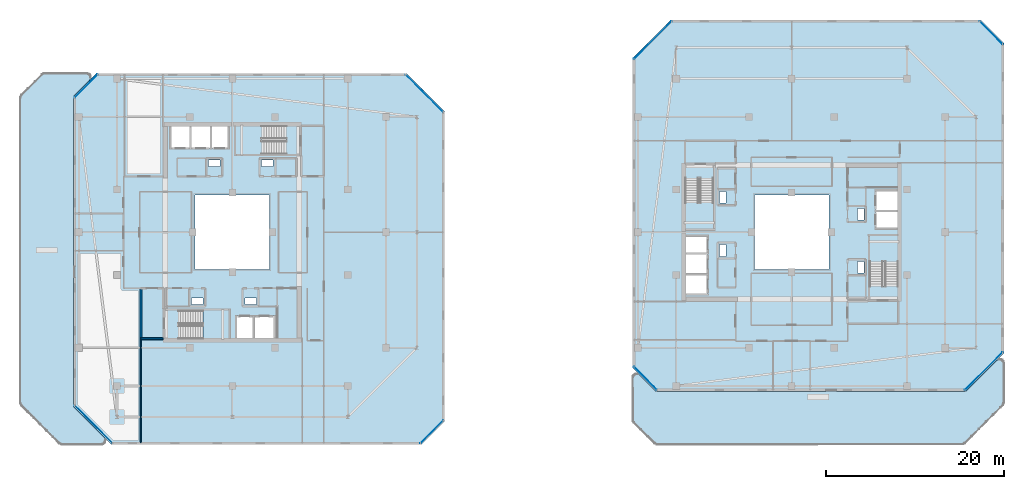
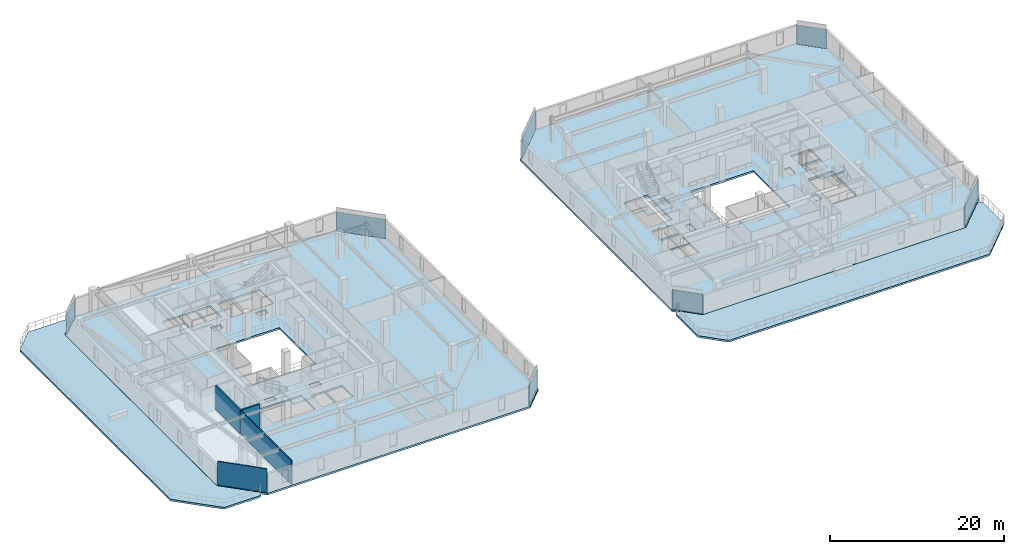
# One storey, part 17 of 31: 8 plates, 8 slabs, 4 walls, 12 elements without a shape of their own.
"""IFC4 building model written with IfcOpenShell, lengths in metres."""

from ifc_helpers import new_model, si_unit, direction, frame, frame_2d, origin, origin_2d, place, context, subcontext, project, spatial, polyline, rectangle, outline, extrude, material, layer, layer_set, type_object, element, aggregate, save


model = new_model("IFC4")

# Units and contexts
model_context = context("Model", 3, precision=1e-05, world=origin(), true_north=direction((0.0, 1.0)))
body_context = subcontext(model_context, "Body", "Model", "MODEL_VIEW")
ifc_project = project(units=[si_unit("LENGTHUNIT", "METRE"), si_unit("AREAUNIT", "SQUARE_METRE"), si_unit("VOLUMEUNIT", "CUBIC_METRE"), si_unit("PLANEANGLEUNIT", "RADIAN"), si_unit("MASSUNIT", "GRAM", prefix="KILO")], contexts=[model_context])

# Site, building, storey
site_placement = place(None, origin())
site = spatial("IfcSite", under=ifc_project, at=site_placement, CompositionType="ELEMENT")
building_placement = place(site_placement, origin())
building = spatial("IfcBuilding", under=site, at=building_placement, Name="Thornwick Lancets Civic Towers", CompositionType="ELEMENT")
storey_placement = place(building_placement, frame((0.0, 0.0, 254.699951171875)))
storey = spatial("IfcBuildingStorey", under=building, at=storey_placement, Name="L68", CompositionType="ELEMENT", Elevation=254.699951171875)

# Curtain wall, plate
ifc_material_1 = material(Name="High-zone chamfered-corner unitised glass curtain wall", Category="glass")
curtain_wall_type = type_object("IfcCurtainWallType", Name="CW_SYS_05", PredefinedType="NOTDEFINED", material=ifc_material_1)
curtain_wall_1_placement = place(storey_placement, origin())
curtain_wall_1 = element("IfcCurtainWall", 1, at=curtain_wall_1_placement, inside=storey, type_object=curtain_wall_type, Name="L68 Curtain Wall CW-L68-A-E1", PredefinedType="NOTDEFINED")
ifc_material_2 = material(Name="Low-e double glazing clear glass", Category="glass")
ifc_layer_1 = layer(ifc_material_2, 0.035888671875, Name="Low-e double glazing clear glass")
ifc_layer_set_1 = layer_set([ifc_layer_1], Name="Low-e double glazing clear glass")
plate_type = type_object("IfcPlateType", Name="CW_PNL_GLASS", PredefinedType="CURTAIN_PANEL", material=ifc_layer_set_1)
plate_1_placement = place(storey_placement, frame((47.972900390625, 4.527099609375, 0.0), z_axis=(0.0, 0.0, 1.0), x_axis=(0.707106781187, 0.707106781187, 0.0)))
plate_1 = element("IfcPlate", 2, at=plate_1_placement, type_object=plate_type, Name="CW-L68-A-E1 Panel 0", PredefinedType="CURTAIN_PANEL", context=body_context, shape_type="SweptSolid", body=[
    extrude(rectangle(XDim=3.649169921875, YDim=0.035888671875, at=origin_2d()), origin(), (0.0, 0.0, 1.0), 2.699951171875),
])
aggregate(curtain_wall_1, [plate_1])

curtain_wall_2_placement = place(storey_placement, origin())
curtain_wall_2 = element("IfcCurtainWall", 3, at=curtain_wall_2_placement, inside=storey, type_object=curtain_wall_type, Name="L68 Curtain Wall CW-L68-A-E3", PredefinedType="NOTDEFINED")
plate_2_placement = place(storey_placement, frame((47.142578125, 42.642578125, 0.0), z_axis=(0.0, 0.0, 1.0), x_axis=(-0.707106781187, 0.707106781187, 0.0)))
plate_2 = element("IfcPlate", 4, at=plate_2_placement, type_object=plate_type, Name="CW-L68-A-E3 Panel 0", PredefinedType="CURTAIN_PANEL", context=body_context, shape_type="SweptSolid", body=[
    extrude(rectangle(XDim=5.98291015625, YDim=0.035888671875, at=origin_2d()), origin(), (0.0, 0.0, 1.0), 2.699951171875),
])
aggregate(curtain_wall_2, [plate_2])

curtain_wall_3_placement = place(storey_placement, origin())
curtain_wall_3 = element("IfcCurtainWall", 5, at=curtain_wall_3_placement, inside=storey, type_object=curtain_wall_type, Name="L68 Curtain Wall CW-L68-A-E5", PredefinedType="NOTDEFINED")
plate_3_placement = place(storey_placement, frame((9.027099609375, 43.472900390625, 0.0), z_axis=(0.0, 0.0, 1.0), x_axis=(-0.707106781187, -0.707106781187, 0.0)))
plate_3 = element("IfcPlate", 6, at=plate_3_placement, type_object=plate_type, Name="CW-L68-A-E5 Panel 0", PredefinedType="CURTAIN_PANEL", context=body_context, shape_type="SweptSolid", body=[
    extrude(rectangle(XDim=3.649169921875, YDim=0.035888671875, at=origin_2d()), origin(), (0.0, 0.0, 1.0), 2.699951171875),
])
aggregate(curtain_wall_3, [plate_3])

curtain_wall_4_placement = place(storey_placement, origin())
curtain_wall_4 = element("IfcCurtainWall", 7, at=curtain_wall_4_placement, inside=storey, type_object=curtain_wall_type, Name="L68 Curtain Wall CW-L68-A-E7", PredefinedType="NOTDEFINED")
plate_4_placement = place(storey_placement, frame((9.857421875, 5.357421875, 0.0), z_axis=(0.0, 0.0, 1.0), x_axis=(0.707106781187, -0.707106781187, 0.0)))
plate_4 = element("IfcPlate", 8, at=plate_4_placement, type_object=plate_type, Name="CW-L68-A-E7 Panel 0", PredefinedType="CURTAIN_PANEL", context=body_context, shape_type="SweptSolid", body=[
    extrude(rectangle(XDim=5.98291015625, YDim=0.035888671875, at=origin_2d()), origin(), (0.0, 0.0, 1.0), 2.699951171875),
])
aggregate(curtain_wall_4, [plate_4])

curtain_wall_5_placement = place(storey_placement, origin())
curtain_wall_5 = element("IfcCurtainWall", 9, at=curtain_wall_5_placement, inside=storey, type_object=curtain_wall_type, Name="L68 Curtain Wall CW-L68-B-E1", PredefinedType="NOTDEFINED")
plate_5_placement = place(storey_placement, frame((110.142578125, 11.357421875, 0.0), z_axis=(0.0, 0.0, 1.0), x_axis=(0.707106781187, 0.707106781187, 0.0)))
plate_5 = element("IfcPlate", 10, at=plate_5_placement, type_object=plate_type, Name="CW-L68-B-E1 Panel 0", PredefinedType="CURTAIN_PANEL", context=body_context, shape_type="SweptSolid", body=[
    extrude(rectangle(XDim=5.98291015625, YDim=0.035888671875, at=origin_2d()), origin(), (0.0, 0.0, 1.0), 2.699951171875),
])
aggregate(curtain_wall_5, [plate_5])

curtain_wall_6_placement = place(storey_placement, origin())
curtain_wall_6 = element("IfcCurtainWall", 11, at=curtain_wall_6_placement, inside=storey, type_object=curtain_wall_type, Name="L68 Curtain Wall CW-L68-B-E3", PredefinedType="NOTDEFINED")
plate_6_placement = place(storey_placement, frame((110.972900390625, 49.472900390625, 0.0), z_axis=(0.0, 0.0, 1.0), x_axis=(-0.707106781187, 0.707106781187, 0.0)))
plate_6 = element("IfcPlate", 12, at=plate_6_placement, type_object=plate_type, Name="CW-L68-B-E3 Panel 0", PredefinedType="CURTAIN_PANEL", context=body_context, shape_type="SweptSolid", body=[
    extrude(rectangle(XDim=3.649169921875, YDim=0.035888671875, at=origin_2d()), origin(), (0.0, 0.0, 1.0), 2.699951171875),
])
aggregate(curtain_wall_6, [plate_6])

curtain_wall_7_placement = place(storey_placement, origin())
curtain_wall_7 = element("IfcCurtainWall", 13, at=curtain_wall_7_placement, inside=storey, type_object=curtain_wall_type, Name="L68 Curtain Wall CW-L68-B-E5", PredefinedType="NOTDEFINED")
plate_7_placement = place(storey_placement, frame((72.857421875, 48.642578125, 0.0), z_axis=(0.0, 0.0, 1.0), x_axis=(-0.707106781187, -0.707106781187, 0.0)))
plate_7 = element("IfcPlate", 14, at=plate_7_placement, type_object=plate_type, Name="CW-L68-B-E5 Panel 0", PredefinedType="CURTAIN_PANEL", context=body_context, shape_type="SweptSolid", body=[
    extrude(rectangle(XDim=5.98291015625, YDim=0.035888671875, at=origin_2d()), origin(), (0.0, 0.0, 1.0), 2.699951171875),
])
aggregate(curtain_wall_7, [plate_7])

curtain_wall_8_placement = place(storey_placement, origin())
curtain_wall_8 = element("IfcCurtainWall", 15, at=curtain_wall_8_placement, inside=storey, type_object=curtain_wall_type, Name="L68 Curtain Wall CW-L68-B-E7", PredefinedType="NOTDEFINED")
plate_8_placement = place(storey_placement, frame((72.027099609375, 10.527099609375, 0.0), z_axis=(0.0, 0.0, 1.0), x_axis=(0.707106781187, -0.707106781187, 0.0)))
plate_8 = element("IfcPlate", 16, at=plate_8_placement, type_object=plate_type, Name="CW-L68-B-E7 Panel 0", PredefinedType="CURTAIN_PANEL", context=body_context, shape_type="SweptSolid", body=[
    extrude(rectangle(XDim=3.649169921875, YDim=0.035888671875, at=origin_2d()), origin(), (0.0, 0.0, 1.0), 2.699951171875),
])
aggregate(curtain_wall_8, [plate_8])

# Stair, slab
ifc_material_3 = material(Name="Concrete C40/50", Category="concrete")
stair_type = type_object("IfcStairType", Name="STAIR_DL_3600", PredefinedType="HALF_TURN_STAIR", material=ifc_material_3)
stair_1_placement = place(storey_placement, origin())
stair_1 = element("IfcStair", 17, at=stair_1_placement, inside=storey, type_object=stair_type, Name="L68 Tower A South Exit Stair ST-A1", PredefinedType="HALF_TURN_STAIR")
ifc_layer_2 = layer(ifc_material_3, 0.25, Name="Concrete C40/50")
ifc_layer_set_2 = layer_set([ifc_layer_2], Name="Concrete C40/50")
slab_type_1 = type_object("IfcSlabType", Name="SLAB_LANDING_200", PredefinedType="LANDING", material=ifc_layer_set_2)
slab_1_placement = place(storey_placement, frame((0.0, 0.0, 1.60302734375)))
slab_1 = element("IfcSlab", 18, at=slab_1_placement, type_object=slab_type_1, Name="ST-A1 landing 1", PredefinedType="LANDING", context=body_context, shape_type="SweptSolid", body=[
    extrude(outline(polyline([(22.169921875, 14.93994140625), (25.14990234375, 14.93994140625), (25.14990234375, 18.260009765625), (22.169921875, 18.260009765625), (22.169921875, 14.93994140625)])), origin(), (0.0, 0.0, 1.0), 0.199951171875),
])
aggregate(stair_1, [slab_1])

stair_2_placement = place(storey_placement, origin())
stair_2 = element("IfcStair", 19, at=stair_2_placement, inside=storey, type_object=stair_type, Name="L68 Tower A North Exit Stair ST-A2", PredefinedType="HALF_TURN_STAIR")
slab_2_placement = place(storey_placement, frame((0.0, 0.0, 1.60302734375)))
slab_2 = element("IfcSlab", 20, at=slab_2_placement, type_object=slab_type_1, Name="ST-A2 landing 1", PredefinedType="LANDING", context=body_context, shape_type="SweptSolid", body=[
    extrude(outline(polyline([(28.830078125, 39.06005859375), (25.85009765625, 39.06005859375), (25.85009765625, 35.739990234375), (28.830078125, 35.739990234375), (28.830078125, 39.06005859375)])), origin(), (0.0, 0.0, 1.0), 0.199951171875),
])
aggregate(stair_2, [slab_2])

stair_3_placement = place(storey_placement, origin())
stair_3 = element("IfcStair", 21, at=stair_3_placement, inside=storey, type_object=stair_type, Name="L68 Tower B East Exit Stair ST-B1", PredefinedType="HALF_TURN_STAIR")
slab_3_placement = place(storey_placement, frame((0.0, 0.0, 1.60302734375)))
slab_3 = element("IfcSlab", 22, at=slab_3_placement, type_object=slab_type_1, Name="ST-B1 landing 1", PredefinedType="LANDING", context=body_context, shape_type="SweptSolid", body=[
    extrude(outline(polyline([(100.56005859375, 23.669921875), (100.56005859375, 26.64990234375), (97.239990234375, 26.64990234375), (97.239990234375, 23.669921875), (100.56005859375, 23.669921875)])), origin(), (0.0, 0.0, 1.0), 0.199951171875),
])
aggregate(stair_3, [slab_3])

stair_4_placement = place(storey_placement, origin())
stair_4 = element("IfcStair", 23, at=stair_4_placement, inside=storey, type_object=stair_type, Name="L68 Tower B West Exit Stair ST-B2", PredefinedType="HALF_TURN_STAIR")
slab_4_placement = place(storey_placement, frame((0.0, 0.0, 1.60302734375)))
slab_4 = element("IfcSlab", 24, at=slab_4_placement, type_object=slab_type_1, Name="ST-B2 landing 1", PredefinedType="LANDING", context=body_context, shape_type="SweptSolid", body=[
    extrude(outline(polyline([(76.43994140625, 30.330078125), (76.43994140625, 27.35009765625), (79.760009765625, 27.35009765625), (79.760009765625, 30.330078125), (76.43994140625, 30.330078125)])), origin(), (0.0, 0.0, 1.0), 0.199951171875),
])
aggregate(stair_4, [slab_4])

# Slabs
ifc_material_4 = material(Name="Post-tensioned concrete C40/50", Category="concrete")
ifc_layer_3 = layer(ifc_material_4, 0.260009765625, Name="Post-tensioned concrete C40/50")
ifc_layer_set_3 = layer_set([ifc_layer_3], Name="Post-tensioned concrete C40/50")
slab_type_2 = type_object("IfcSlabType", Name="SLAB_PT_260", PredefinedType="FLOOR", material=ifc_layer_set_3)
slab_5_placement = place(storey_placement, frame((0.0, 0.0, -0.260009765625)))
element("IfcSlab", 25, at=slab_5_placement, inside=storey, type_object=slab_type_2, Name="L68 Tower A Floor Slab", PredefinedType="FLOOR", context=body_context, shape_type="SweptSolid", body=[
    extrude(outline(polyline([(11.862060546875, 3.10009765625), (46.800048828125, 3.10009765625), (49.39990234375, 5.699951171875), (49.39990234375, 40.637939453125), (45.137939453125, 44.89990234375), (10.199951171875, 44.89990234375), (7.60009765625, 42.300048828125), (7.60009765625, 7.362060546875), (11.862060546875, 3.10009765625)]), holes=[polyline([(21.300048828125, 22.800048828125), (29.699951171875, 22.800048828125), (29.699951171875, 31.199951171875), (21.300048828125, 31.199951171875), (21.300048828125, 22.800048828125)]), polyline([(19.429931640625, 15.0), (25.10009765625, 15.0), (25.10009765625, 18.199951171875), (19.429931640625, 18.199951171875), (19.429931640625, 15.0)]), polyline([(31.570068359375, 39.0), (25.89990234375, 39.0), (25.89990234375, 35.800048828125), (31.570068359375, 35.800048828125), (31.570068359375, 39.0)]), polyline([(26.0, 15.0), (27.800048828125, 15.0), (27.800048828125, 17.550048828125), (26.0, 17.550048828125), (26.0, 15.0)]), polyline([(28.0, 15.0), (30.14990234375, 15.0), (30.14990234375, 17.550048828125), (28.0, 17.550048828125), (28.0, 15.0)]), polyline([(23.199951171875, 36.449951171875), (25.0, 36.449951171875), (25.0, 39.0), (23.199951171875, 39.0), (23.199951171875, 36.449951171875)]), polyline([(20.85009765625, 36.449951171875), (23.0, 36.449951171875), (23.0, 39.0), (20.85009765625, 39.0), (20.85009765625, 36.449951171875)]), polyline([(18.60009765625, 36.449951171875), (20.699951171875, 36.449951171875), (20.699951171875, 39.0), (18.60009765625, 39.0), (18.60009765625, 36.449951171875)]), polyline([(26.89990234375, 18.85009765625), (28.199951171875, 18.85009765625), (28.199951171875, 19.580078125), (26.89990234375, 19.580078125), (26.89990234375, 18.85009765625)]), polyline([(20.89990234375, 18.85009765625), (22.199951171875, 18.85009765625), (22.199951171875, 19.580078125), (20.89990234375, 19.580078125), (20.89990234375, 18.85009765625)]), polyline([(22.800048828125, 34.419921875), (24.10009765625, 34.419921875), (24.10009765625, 35.14990234375), (22.800048828125, 35.14990234375), (22.800048828125, 34.419921875)]), polyline([(28.800048828125, 34.419921875), (30.10009765625, 34.419921875), (30.10009765625, 35.14990234375), (28.800048828125, 35.14990234375), (28.800048828125, 34.419921875)])]), origin(), (0.0, 0.0, 1.0), 0.260009765625),
])
slab_6_placement = place(storey_placement, frame((0.0, 0.0, -0.260009765625)))
element("IfcSlab", 26, at=slab_6_placement, inside=storey, type_object=slab_type_2, Name="L68 Tower A Cantilevered Block Sky-Garden Terrace 1", PredefinedType="FLOOR", context=body_context, shape_type="SweptSolid", body=[
    extrude(outline(polyline([(6.2802734375, 3.102294921875), (6.236572265625, 3.108642578125), (6.19384765625, 3.119384765625), (6.152099609375, 3.13427734375), (6.1123046875, 3.153076171875), (6.074462890625, 3.17578125), (6.038818359375, 3.2021484375), (6.006103515625, 3.231689453125), (1.731689453125, 7.506103515625), (1.7021484375, 7.538818359375), (1.67578125, 7.574462890625), (1.653076171875, 7.6123046875), (1.63427734375, 7.652099609375), (1.619384765625, 7.69384765625), (1.608642578125, 7.736572265625), (1.602294921875, 7.7802734375), (1.60009765625, 7.824462890625), (1.60009765625, 42.113525390625), (1.602294921875, 42.15771484375), (1.608642578125, 42.201416015625), (1.619384765625, 42.244140625), (1.63427734375, 42.285888671875), (1.653076171875, 42.32568359375), (1.67578125, 42.363525390625), (1.7021484375, 42.399169921875), (1.731689453125, 42.431884765625), (4.068115234375, 44.768310546875), (4.100830078125, 44.7978515625), (4.136474609375, 44.82421875), (4.17431640625, 44.846923828125), (4.214111328125, 44.86572265625), (4.255859375, 44.880615234375), (4.298583984375, 44.891357421875), (4.34228515625, 44.897705078125), (4.386474609375, 44.89990234375), (9.085205078125, 44.89990234375), (9.12939453125, 44.897705078125), (9.173095703125, 44.891357421875), (9.2158203125, 44.880615234375), (9.257568359375, 44.86572265625), (9.29736328125, 44.846923828125), (9.335205078125, 44.82421875), (9.370849609375, 44.7978515625), (9.403564453125, 44.768310546875), (9.43310546875, 44.735595703125), (9.45947265625, 44.699951171875), (9.482177734375, 44.662109375), (9.501220703125, 44.622314453125), (9.515869140625, 44.58056640625), (9.526611328125, 44.537841796875), (9.533203125, 44.494140625), (9.535400390625, 44.449951171875), (9.533203125, 44.406005859375), (9.526611328125, 44.3623046875), (9.515869140625, 44.3193359375), (9.501220703125, 44.27783203125), (9.482177734375, 44.23779296875), (9.45947265625, 44.199951171875), (9.43310546875, 44.16455078125), (9.403564453125, 44.1318359375), (9.10400390625, 43.832275390625), (7.58984375, 42.318115234375), (7.5859375, 42.314208984375), (7.58447265625, 42.312744140625), (7.58349609375, 42.31103515625), (7.58251953125, 42.309326171875), (7.58154296875, 42.3076171875), (7.580810546875, 42.305908203125), (7.580322265625, 42.303955078125), (7.580078125, 42.302001953125), (7.580078125, 42.300048828125), (7.580078125, 42.2939453125), (7.580078125, 7.367431640625), (7.580078125, 7.362060546875), (7.580078125, 7.360107421875), (7.580322265625, 7.358154296875), (7.580810546875, 7.356201171875), (7.58154296875, 7.354248046875), (7.58251953125, 7.3525390625), (7.58349609375, 7.350830078125), (7.58447265625, 7.349365234375), (7.5859375, 7.347900390625), (7.590087890625, 7.343505859375), (11.0654296875, 3.8681640625), (11.09521484375, 3.83544921875), (11.12158203125, 3.800048828125), (11.144287109375, 3.76220703125), (11.1630859375, 3.72216796875), (11.177978515625, 3.6806640625), (11.188720703125, 3.6376953125), (11.1953125, 3.593994140625), (11.197265625, 3.550048828125), (11.1953125, 3.505859375), (11.188720703125, 3.462158203125), (11.177978515625, 3.41943359375), (11.1630859375, 3.377685546875), (11.144287109375, 3.337890625), (11.12158203125, 3.300048828125), (11.09521484375, 3.264404296875), (11.0654296875, 3.231689453125), (11.03271484375, 3.2021484375), (10.997314453125, 3.17578125), (10.95947265625, 3.153076171875), (10.91943359375, 3.13427734375), (10.8779296875, 3.119384765625), (10.835205078125, 3.108642578125), (10.79150390625, 3.102294921875), (10.747314453125, 3.10009765625), (6.324462890625, 3.10009765625), (6.2802734375, 3.102294921875)])), origin(), (0.0, 0.0, 1.0), 0.260009765625),
])
slab_7_placement = place(storey_placement, frame((0.0, 0.0, -0.260009765625)))
element("IfcSlab", 27, at=slab_7_placement, inside=storey, type_object=slab_type_2, Name="L68 Tower B Floor Slab", PredefinedType="FLOOR", context=body_context, shape_type="SweptSolid", body=[
    extrude(outline(polyline([(73.199951171875, 9.10009765625), (108.137939453125, 9.10009765625), (112.39990234375, 13.362060546875), (112.39990234375, 48.300048828125), (109.800048828125, 50.89990234375), (74.862060546875, 50.89990234375), (70.60009765625, 46.637939453125), (70.60009765625, 11.699951171875), (73.199951171875, 9.10009765625)]), holes=[polyline([(84.300048828125, 22.800048828125), (92.699951171875, 22.800048828125), (92.699951171875, 31.199951171875), (84.300048828125, 31.199951171875), (84.300048828125, 22.800048828125)]), polyline([(100.5, 20.929931640625), (100.5, 26.60009765625), (97.300048828125, 26.60009765625), (97.300048828125, 20.929931640625), (100.5, 20.929931640625)]), polyline([(76.5, 33.070068359375), (76.5, 27.39990234375), (79.699951171875, 27.39990234375), (79.699951171875, 33.070068359375), (76.5, 33.070068359375)]), polyline([(97.949951171875, 27.5), (100.5, 27.5), (100.5, 29.300048828125), (97.949951171875, 29.300048828125), (97.949951171875, 27.5)]), polyline([(97.949951171875, 29.5), (100.5, 29.5), (100.5, 31.64990234375), (97.949951171875, 31.64990234375), (97.949951171875, 29.5)]), polyline([(76.5, 24.699951171875), (79.050048828125, 24.699951171875), (79.050048828125, 26.5), (76.5, 26.5), (76.5, 24.699951171875)]), polyline([(76.5, 22.35009765625), (79.050048828125, 22.35009765625), (79.050048828125, 24.5), (76.5, 24.5), (76.5, 22.35009765625)]), polyline([(76.5, 20.10009765625), (79.050048828125, 20.10009765625), (79.050048828125, 22.199951171875), (76.5, 22.199951171875), (76.5, 20.10009765625)]), polyline([(95.919921875, 28.39990234375), (96.64990234375, 28.39990234375), (96.64990234375, 29.699951171875), (95.919921875, 29.699951171875), (95.919921875, 28.39990234375)]), polyline([(95.919921875, 22.39990234375), (96.64990234375, 22.39990234375), (96.64990234375, 23.699951171875), (95.919921875, 23.699951171875), (95.919921875, 22.39990234375)]), polyline([(80.35009765625, 24.300048828125), (81.080078125, 24.300048828125), (81.080078125, 25.60009765625), (80.35009765625, 25.60009765625), (80.35009765625, 24.300048828125)]), polyline([(80.35009765625, 30.300048828125), (81.080078125, 30.300048828125), (81.080078125, 31.60009765625), (80.35009765625, 31.60009765625), (80.35009765625, 30.300048828125)])]), origin(), (0.0, 0.0, 1.0), 0.260009765625),
])
slab_8_placement = place(storey_placement, frame((0.0, 0.0, -0.260009765625)))
element("IfcSlab", 28, at=slab_8_placement, inside=storey, type_object=slab_type_2, Name="L68 Tower B Cantilevered Block Sky-Garden Terrace 1", PredefinedType="FLOOR", context=body_context, shape_type="SweptSolid", body=[
    extrude(outline(polyline([(112.397705078125, 7.7802734375), (112.391357421875, 7.736572265625), (112.380615234375, 7.69384765625), (112.36572265625, 7.652099609375), (112.346923828125, 7.6123046875), (112.32421875, 7.574462890625), (112.2978515625, 7.538818359375), (112.268310546875, 7.506103515625), (112.01904296875, 7.257080078125), (107.993896484375, 3.231689453125), (107.961181640625, 3.2021484375), (107.925537109375, 3.17578125), (107.8876953125, 3.153076171875), (107.847900390625, 3.13427734375), (107.80615234375, 3.119384765625), (107.763427734375, 3.108642578125), (107.7197265625, 3.102294921875), (107.675537109375, 3.10009765625), (73.386474609375, 3.10009765625), (73.34228515625, 3.102294921875), (73.298583984375, 3.108642578125), (73.255859375, 3.119384765625), (73.214111328125, 3.13427734375), (73.17431640625, 3.153076171875), (73.136474609375, 3.17578125), (73.100830078125, 3.2021484375), (73.068115234375, 3.231689453125), (70.906005859375, 5.39404296875), (70.731689453125, 5.568115234375), (70.7021484375, 5.600830078125), (70.67578125, 5.636474609375), (70.653076171875, 5.67431640625), (70.63427734375, 5.714111328125), (70.619384765625, 5.755859375), (70.608642578125, 5.798583984375), (70.602294921875, 5.84228515625), (70.60009765625, 5.886474609375), (70.60009765625, 10.585205078125), (70.602294921875, 10.62939453125), (70.608642578125, 10.673095703125), (70.619384765625, 10.7158203125), (70.63427734375, 10.757568359375), (70.653076171875, 10.79736328125), (70.67578125, 10.835205078125), (70.7021484375, 10.870849609375), (70.731689453125, 10.903564453125), (70.764404296875, 10.93310546875), (70.800048828125, 10.95947265625), (70.837890625, 10.982177734375), (70.877685546875, 11.001220703125), (70.91943359375, 11.015869140625), (70.962158203125, 11.026611328125), (71.005859375, 11.033203125), (71.050048828125, 11.035400390625), (71.093994140625, 11.033203125), (71.1376953125, 11.026611328125), (71.1806640625, 11.015869140625), (71.22216796875, 11.001220703125), (71.26220703125, 10.982177734375), (71.300048828125, 10.95947265625), (71.33544921875, 10.93310546875), (71.3681640625, 10.903564453125), (71.72119140625, 10.55029296875), (73.185791015625, 9.0859375), (73.187255859375, 9.08447265625), (73.18896484375, 9.08349609375), (73.190673828125, 9.08251953125), (73.1923828125, 9.08154296875), (73.194091796875, 9.080810546875), (73.196044921875, 9.080322265625), (73.197998046875, 9.080078125), (73.199951171875, 9.080078125), (73.2060546875, 9.080078125), (108.132568359375, 9.080078125), (108.137939453125, 9.080078125), (108.139892578125, 9.080078125), (108.141845703125, 9.080322265625), (108.143798828125, 9.080810546875), (108.145751953125, 9.08154296875), (108.1474609375, 9.08251953125), (108.149169921875, 9.08349609375), (108.150634765625, 9.08447265625), (108.152099609375, 9.0859375), (111.6318359375, 12.5654296875), (111.66455078125, 12.59521484375), (111.699951171875, 12.62158203125), (111.73779296875, 12.644287109375), (111.77783203125, 12.6630859375), (111.8193359375, 12.677978515625), (111.8623046875, 12.688720703125), (111.906005859375, 12.6953125), (111.949951171875, 12.697265625), (111.994140625, 12.6953125), (112.037841796875, 12.688720703125), (112.08056640625, 12.677978515625), (112.122314453125, 12.6630859375), (112.162109375, 12.644287109375), (112.199951171875, 12.62158203125), (112.235595703125, 12.59521484375), (112.268310546875, 12.5654296875), (112.2978515625, 12.53271484375), (112.32421875, 12.497314453125), (112.346923828125, 12.45947265625), (112.36572265625, 12.41943359375), (112.380615234375, 12.3779296875), (112.391357421875, 12.335205078125), (112.397705078125, 12.29150390625), (112.39990234375, 12.247314453125), (112.39990234375, 7.824462890625), (112.397705078125, 7.7802734375)])), origin(), (0.0, 0.0, 1.0), 0.260009765625),
])

# Walls
ifc_material_5 = material(Name="Concrete blockwork C40/50", Category="masonry")
ifc_layer_4 = layer(ifc_material_5, 0.199951171875, Name="Concrete blockwork C40/50")
ifc_layer_set_4 = layer_set([ifc_layer_4], Name="Concrete blockwork C40/50")
wall_type_1 = type_object("IfcWallType", Name="WALL_COMP_200", PredefinedType="STANDARD", material=ifc_layer_set_4)
wall_1_placement = place(storey_placement, frame((15.199951171875, 15.0, 0.0), z_axis=(0.0, 0.0, 1.0), x_axis=(1.0, 0.0, 0.0)))
element("IfcWall", 29, at=wall_1_placement, inside=storey, type_object=wall_type_1, Name="L68 Partition L68-A-FFLOB1 E1", PredefinedType="STANDARD", context=body_context, shape_type="SweptSolid", body=[
    extrude(rectangle(XDim=2.5, YDim=0.199951171875, at=frame_2d((1.25, 0.0))), origin(), (0.0, 0.0, 1.0), 3.320068359375),
])
wall_2_placement = place(storey_placement, frame((15.199951171875, 20.699951171875, 0.0), z_axis=(0.0, 0.0, 1.0), x_axis=(0.0, -1.0, 0.0)))
element("IfcWall", 30, at=wall_2_placement, inside=storey, type_object=wall_type_1, Name="L68 Partition L68-A-FFLOB1 E4", PredefinedType="STANDARD", context=body_context, shape_type="SweptSolid", body=[
    extrude(rectangle(XDim=5.699951171875, YDim=0.199951171875, at=frame_2d((2.85009765625, 0.0))), origin(), (0.0, 0.0, 1.0), 3.320068359375),
])
ifc_material_6 = material(Name="Acoustic gypsum board partition")
ifc_layer_5 = layer(ifc_material_6, 0.1201171875, Name="Acoustic gypsum board partition")
ifc_layer_set_5 = layer_set([ifc_layer_5], Name="Acoustic gypsum board partition")
wall_type_2 = type_object("IfcWallType", Name="WALL_PART_120", PredefinedType="PARTITIONING", material=ifc_layer_set_5)
wall_3_placement = place(storey_placement, frame((15.199951171875, 15.0, 0.0), z_axis=(0.0, 0.0, 1.0), x_axis=(0.0, -1.0, 0.0)))
element("IfcWall", 31, at=wall_3_placement, inside=storey, type_object=wall_type_2, Name="L68 Partition L68-A-W1 E5", PredefinedType="PARTITIONING", context=body_context, shape_type="SweptSolid", body=[
    extrude(rectangle(XDim=11.719970703125, YDim=0.1201171875, at=frame_2d((5.85986328125, 0.0))), origin(), (0.0, 0.0, 1.0), 3.320068359375),
])
wall_4_placement = place(storey_placement, frame((11.9365234375, 3.280029296875, 0.0), z_axis=(0.0, 0.0, 1.0), x_axis=(-0.707106781187, 0.707106781187, 0.0)))
element("IfcWall", 32, at=wall_4_placement, inside=storey, type_object=wall_type_2, Name="L68 Partition L68-A-W1 E7", PredefinedType="PARTITIONING", context=body_context, shape_type="SweptSolid", body=[
    extrude(rectangle(XDim=5.878173828125, YDim=0.1201171875, at=frame_2d((2.93896484375, 0.0))), origin(), (0.0, 0.0, 1.0), 3.320068359375),
])

save(model, "model.ifc")
